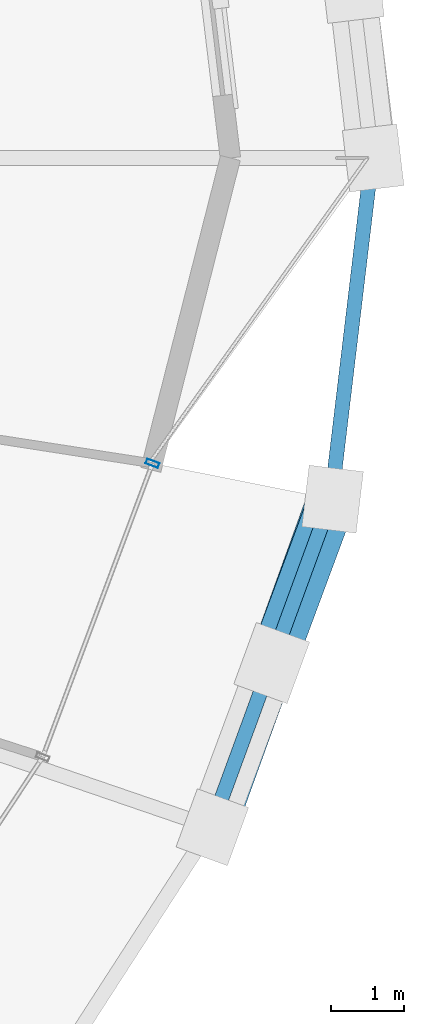
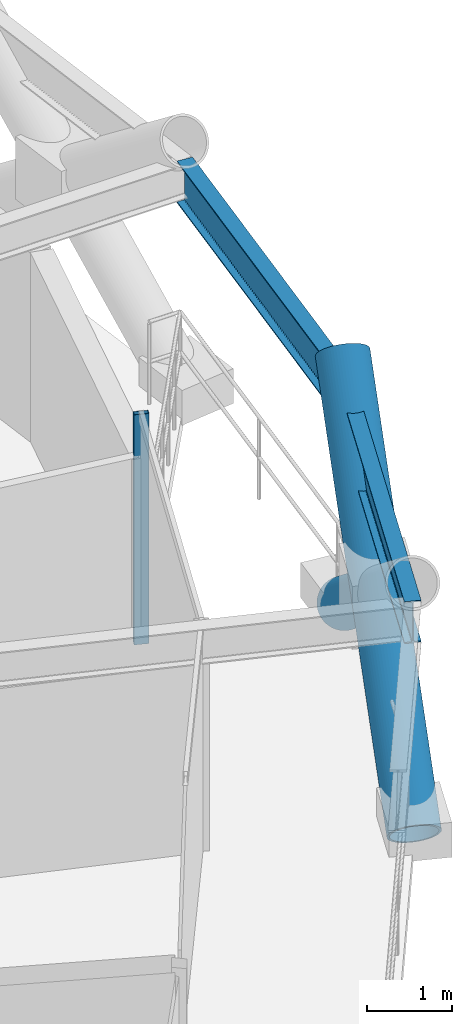
# One storey, part 12 of 22: 3 members, 2 beams, 1 element without a shape of its own.
"""IFC4 building model written with IfcOpenShell, lengths in metres."""

from ifc_helpers import new_model, si_unit, direction, frame, origin, origin_2d, place, context, subcontext, project, spatial, hollow_rectangle, hollow_circle, i_section, extrude, material, layer, layer_set, material_profile, profile_set, type_object, element, aggregate, save


model = new_model("IFC4")

# Units and contexts
model_context = context("Model", 3, precision=1e-05, world=origin(), true_north=direction((0.0, 1.0)))
body_context = subcontext(model_context, "Body", "Model", "MODEL_VIEW")
ifc_project = project(units=[si_unit("LENGTHUNIT", "METRE"), si_unit("AREAUNIT", "SQUARE_METRE"), si_unit("VOLUMEUNIT", "CUBIC_METRE"), si_unit("PLANEANGLEUNIT", "RADIAN"), si_unit("MASSUNIT", "GRAM", prefix="KILO")], contexts=[model_context])

# Site, building, storey
site_placement = place(None, origin())
site = spatial("IfcSite", under=ifc_project, at=site_placement, CompositionType="ELEMENT")
building_placement = place(site_placement, origin())
building = spatial("IfcBuilding", under=site, at=building_placement, Name="Veldorina Hangang Commons", CompositionType="ELEMENT")
storey_placement = place(building_placement, frame((0.0, 0.0, 80.800048828125)))
storey = spatial("IfcBuildingStorey", under=building, at=storey_placement, Name="L20", CompositionType="ELEMENT", Elevation=80.800048828125)

# Beams
ifc_material_1 = material(Name="Steel SM420-TMC", Category="steel")
ifc_material_profile_1 = material_profile(ifc_material_1, i_section(OverallWidth=0.199951171875, OverallDepth=0.60009765625, WebThickness=0.010986328125, FlangeThickness=0.01708984375, FilletRadius=0.01806640625, at=origin_2d()), Name="H-600x200x11x17")
ifc_profile_set_1 = profile_set([ifc_material_profile_1], Name="Steel SM420-TMC")
beam_type = type_object("IfcBeamType", Name="BM-RB600", PredefinedType="BEAM", material=ifc_profile_set_1)
beam_1_placement = place(storey_placement, frame((58.776123046875, 14.8203125, 3.0400390625), z_axis=(0.344101973275, 0.938932282962, 0.0), x_axis=(-0.938932282962, 0.344101973275, 0.0)))
element("IfcBeam", 1, at=beam_1_placement, inside=storey, type_object=beam_type, Name="L20 perimeter hoop ring beam 30", PredefinedType="BEAM", context=body_context, shape_type="SweptSolid", body=[
    extrude(i_section(OverallWidth=0.199951171875, OverallDepth=0.60009765625, WebThickness=0.010986328125, FlangeThickness=0.01708984375, FilletRadius=0.01806640625, at=origin_2d()), origin(), (0.0, 0.0, 1.0), 4.792724609375),
])
beam_2_placement = place(storey_placement, frame((60.42529296875, 19.3203125, 3.0400390625), z_axis=(0.118217754595, 0.992987695039, 0.0), x_axis=(-0.992987695039, 0.118217754595, 0.0)))
element("IfcBeam", 2, at=beam_2_placement, inside=storey, type_object=beam_type, Name="L20 perimeter hoop ring beam 31", PredefinedType="BEAM", context=body_context, shape_type="SweptSolid", body=[
    extrude(i_section(OverallWidth=0.199951171875, OverallDepth=0.60009765625, WebThickness=0.010986328125, FlangeThickness=0.01708984375, FilletRadius=0.01806640625, at=origin_2d()), origin(), (0.0, 0.0, 1.0), 4.712646484375),
])

# Curtain wall, member
ifc_material_2 = material(Name="Glass Low-E Triple IGU", Category="glass")
ifc_layer = layer(ifc_material_2, 0.179931640625)
ifc_layer_set = layer_set([ifc_layer], Name="Glass Low-E Triple IGU")
curtain_wall_type = type_object("IfcCurtainWallType", Name="CW-SYS-Z1", PredefinedType="NOTDEFINED", material=ifc_layer_set)
curtain_wall_placement = place(storey_placement, origin())
curtain_wall = element("IfcCurtainWall", 3, at=curtain_wall_placement, inside=storey, type_object=curtain_wall_type, Name="L20 unitised curtain wall CW-L20-R2", PredefinedType="NOTDEFINED")
ifc_material_3 = material(Name="Aluminium Anodized AA6063-T6", Category="aluminium")
ifc_material_profile_2 = material_profile(ifc_material_3, hollow_rectangle(XDim=0.070068359375, YDim=0.179931640625, WallThickness=0.00390625, at=origin_2d()), Name="ALU-RHS-180x70x4")
ifc_profile_set_2 = profile_set([ifc_material_profile_2], Name="Aluminium Anodized AA6063-T6")
member_type_1 = type_object("IfcMemberType", Name="CW-MUL-180", PredefinedType="MULLION", material=ifc_profile_set_2)
member_1_placement = place(storey_placement, frame((57.97119140625, 19.8095703125, 0.0), z_axis=(0.0, 0.0, 1.0), x_axis=(-0.350272772461, -0.936647737878, 0.0)))
member_1 = element("IfcMember", 4, at=member_1_placement, type_object=member_type_1, Name="CW-L20-R2 vertical mullion 5", PredefinedType="MULLION", context=body_context, shape_type="SweptSolid", body=[
    extrude(hollow_rectangle(XDim=0.070068359375, YDim=0.179931640625, WallThickness=0.00390625, at=origin_2d()), origin(), (0.0, 0.0, 1.0), 3.300048828125),
])
aggregate(curtain_wall, [member_1])

# Members
ifc_material_4 = material(Name="Steel SM460-TMC", Category="steel")
ifc_material_profile_3 = material_profile(ifc_material_4, hollow_circle(Radius=0.324951171875, WallThickness=0.031982421875, at=origin_2d()), Name="CHS-650x32")
ifc_profile_set_3 = profile_set([ifc_material_profile_3], Name="Steel SM460-TMC")
member_type_2 = type_object("IfcMemberType", Name="DG-CHS650", PredefinedType="BRACE", material=ifc_profile_set_3)
member_2_placement = place(storey_placement, frame((58.79248046875, 14.815673828125, 0.0), z_axis=(0.271943424306, 0.751786068722, 0.600719968748), x_axis=(-0.940367902112, 0.340159093188, 0.0)))
element("IfcMember", 5, at=member_2_placement, inside=storey, type_object=member_type_2, Name="L20 continuous perimeter diagrid brace 30", PredefinedType="BRACE", context=body_context, shape_type="SweptSolid", body=[
    extrude(hollow_circle(Radius=0.324951171875, WallThickness=0.031982421875, at=origin_2d()), origin(), (0.0, 0.0, 1.0), 5.99267578125),
])
member_3_placement = place(storey_placement, frame((60.44287109375, 19.31787109375, 0.0), z_axis=(-0.27843869925, -0.749774129638, 0.60025881525), x_axis=(0.937445199765, -0.348132873252, 0.0)))
element("IfcMember", 6, at=member_3_placement, inside=storey, type_object=member_type_2, Name="L20 split perimeter diagrid lower brace 31", PredefinedType="BRACE", context=body_context, shape_type="SweptSolid", body=[
    extrude(hollow_circle(Radius=0.324951171875, WallThickness=0.031982421875, at=origin_2d()), origin(), (0.0, 0.0, 1.0), 2.99951171875),
])

save(model, "model.ifc")
